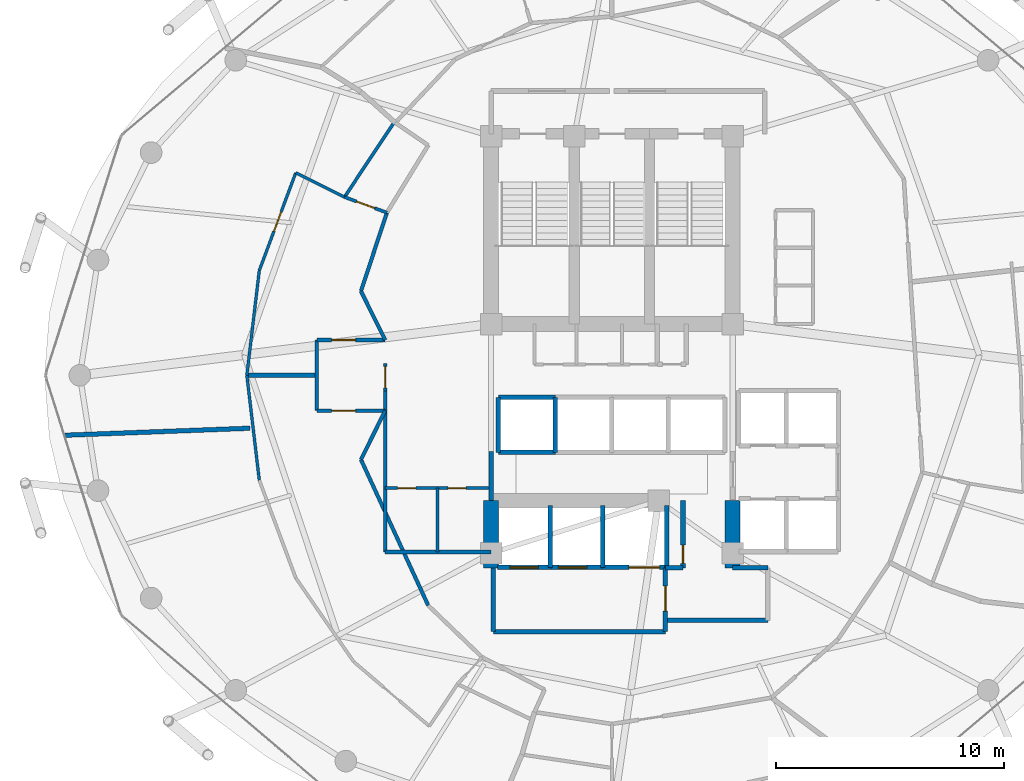
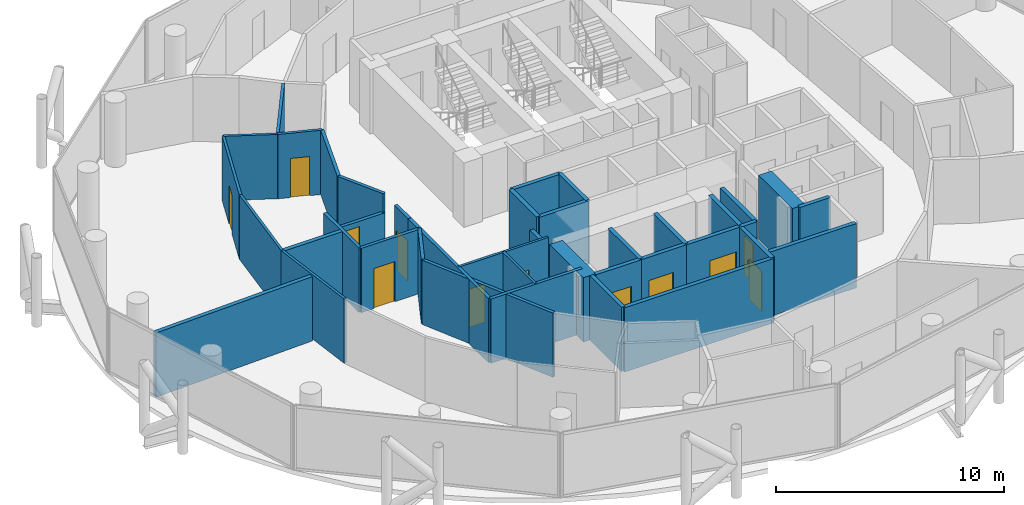
# One storey, part 22 of 26: 40 walls, 12 doors, 12 openings.
"""IFC4 building model written with IfcOpenShell, lengths in metres."""

from ifc_helpers import new_model, si_unit, direction, frame, frame_2d, origin, place, context, subcontext, project, spatial, rectangle, extrude, material, layer, layer_set, type_object, element, fill, save


model = new_model("IFC4")

# Units and contexts
model_context = context("Model", 3, precision=1e-05, world=origin(), true_north=direction((0.0, 1.0)))
body_context = subcontext(model_context, "Body", "Model", "MODEL_VIEW")
ifc_project = project(units=[si_unit("LENGTHUNIT", "METRE"), si_unit("AREAUNIT", "SQUARE_METRE"), si_unit("VOLUMEUNIT", "CUBIC_METRE"), si_unit("PLANEANGLEUNIT", "RADIAN"), si_unit("MASSUNIT", "GRAM", prefix="KILO")], contexts=[model_context])

# Site, building, storey
site_placement = place(None, origin())
site = spatial("IfcSite", under=ifc_project, at=site_placement, CompositionType="ELEMENT")
building_placement = place(site_placement, origin())
building = spatial("IfcBuilding", under=site, at=building_placement, Name="Nuhasar Tower", CompositionType="ELEMENT")
storey_placement = place(building_placement, frame((0.0, 0.0, 129.35009765625)))
storey = spatial("IfcBuildingStorey", under=building, at=storey_placement, Name="L30", CompositionType="ELEMENT", Elevation=129.35009765625)

# Walls
ifc_material_1 = material(Name="Concrete C65/80", Category="concrete")
ifc_layer_1 = layer(ifc_material_1, 0.64990234375)
ifc_layer_set_1 = layer_set([ifc_layer_1], Name="Concrete C65/80")
wall_type_1 = type_object("IfcWallType", Name="WL-CORE-650", PredefinedType="SHEAR", material=ifc_layer_set_1)
for number, where, z_axis, x_axis, name in (
    (1, (33.699951171875, 18.35009765625, 0.0), (0.0, 0.0, 1.0), (0.0, 1.0, 0.0), "L30 Core Shear Wall CW-SW CW-650"),
    (2, (44.300048828125, 18.35009765625, 0.0), (0.0, 0.0, 1.0), (0.0, 1.0, 0.0), "L30 Core Shear Wall CW-SE CW-650"),
):
    element("IfcWall", number, at=place(storey_placement, frame(where, z_axis=z_axis, x_axis=x_axis)), inside=storey, type_object=wall_type_1, Name=name, PredefinedType="SHEAR", context=body_context, shape_type="SweptSolid", body=[
        extrude(rectangle(XDim=2.949951171875, YDim=0.64990234375, at=frame_2d((1.47509765625, 0.0))), origin(), (0.0, 0.0, 1.0), 3.449951171875),
    ])
ifc_material_2 = material(Name="Gypsum Board", Category="gypsum")
ifc_layer_2 = layer(ifc_material_2, 0.159912109375)
ifc_layer_set_2 = layer_set([ifc_layer_2], Name="Gypsum Board")
wall_type_2 = type_object("IfcWallType", Name="WL-CORR-160", PredefinedType="PARTITIONING", material=ifc_layer_set_2)
wall_1_placement = place(storey_placement, frame((29.050048828125, 19.050048828125, 0.0), z_axis=(0.0, 0.0, 1.0), x_axis=(1.0, 0.0, 0.0)))
element("IfcWall", 3, at=wall_1_placement, inside=storey, type_object=wall_type_2, Name="L30 Interior Partition RECL-B1-S", PredefinedType="PARTITIONING", context=body_context, shape_type="SweptSolid", body=[
    extrude(rectangle(XDim=4.64990234375, YDim=0.159912109375, at=frame_2d((2.324951171875, 0.0))), origin(), (0.0, 0.0, 1.0), 3.449951171875),
])
wall_2_placement = place(storey_placement, frame((29.050048828125, 19.050048828125, 0.0), z_axis=(0.0, 0.0, 1.0), x_axis=(0.0, 1.0, 0.0)))
element("IfcWall", 4, at=wall_2_placement, inside=storey, type_object=wall_type_2, Name="L30 Interior Partition RECL-B1-W", PredefinedType="PARTITIONING", context=body_context, shape_type="SweptSolid", body=[
    extrude(rectangle(XDim=7.070068359375, YDim=0.159912109375, at=frame_2d((3.53515625, 0.0))), origin(), (0.0, 0.0, 1.0), 3.449951171875),
])

# Wall, opening, door
wall_3_placement = place(storey_placement, frame((29.050048828125, 26.1201171875, 0.0), z_axis=(0.0, 0.0, 1.0), x_axis=(0.0, 1.0, 0.0)))
wall_3 = element("IfcWall", 5, at=wall_3_placement, inside=storey, type_object=wall_type_2, Name="L30 Interior Partition WVEST-E", PredefinedType="PARTITIONING", context=body_context, shape_type="SweptSolid", body=[
    extrude(rectangle(XDim=1.199951171875, YDim=0.159912109375, at=frame_2d((0.60009765625, 0.0))), origin(), (0.0, 0.0, 1.0), 3.449951171875),
])
opening_1_placement = place(wall_3_placement, frame((0.125, 0.0, 0.0)))
opening_1 = element("IfcOpeningElement", 6, at=opening_1_placement, cuts=wall_3, Name="Opening DO-01", PredefinedType="OPENING", context=body_context, shape_type="SweptSolid", body=[
    extrude(rectangle(XDim=0.949951171875, YDim=2.14990234375, at=frame_2d((0.47509765625, 1.074951171875))), frame((0.0, 0.08984375, 0.0), z_axis=(0.0, -1.0, 0.0), x_axis=(1.0, 0.0, 0.0)), (0.0, 0.0, 1.0), 0.179931640625),
])
ifc_material_3 = material(Name="Timber Oak", Category="wood")
door_type_1 = type_object("IfcDoorType", Name="DR-OFFICE-FD30-950", OperationType="NOTDEFINED", PredefinedType="DOOR", material=ifc_material_3)
door_1_placement = place(opening_1_placement, origin())
door_1 = element("IfcDoor", 7, at=door_1_placement, inside=storey, type_object=door_type_1, Name="L30 West Arrival Foyer Core Door", OperationType="SINGLE_SWING_RIGHT", OverallHeight=2.14990234375, OverallWidth=0.949951171875, PredefinedType="DOOR", context=body_context, shape_type="SweptSolid", body=[
    extrude(rectangle(XDim=0.949951171875, YDim=2.14990234375, at=frame_2d((0.47509765625, 1.074951171875))), frame((0.0, 0.02490234375, 0.0), z_axis=(0.0, -1.0, 0.0), x_axis=(1.0, 0.0, 0.0)), (0.0, 0.0, 1.0), 0.050048828125),
])
fill(opening_1, door_1)

# Walls
wall_4_placement = place(storey_placement, frame((29.126953125, 33.93994140625, 0.0), z_axis=(0.0, 0.0, 1.0), x_axis=(-0.313985571683, -0.949427754374, 0.0)))
element("IfcWall", 8, at=wall_4_placement, inside=storey, type_object=wall_type_2, Name="L30 Interior Partition HWEST-CORE-N-20", PredefinedType="PARTITIONING", context=body_context, shape_type="SweptSolid", body=[
    extrude(rectangle(XDim=3.627197265625, YDim=0.159912109375, at=frame_2d((1.8134765625, 0.0))), origin(), (0.0, 0.0, 1.0), 3.449951171875),
])
wall_5_placement = place(storey_placement, frame((27.988037109375, 23.10400390625, 0.0), z_axis=(0.0, 0.0, 1.0), x_axis=(0.418656179426, -0.908144814128, 0.0)))
element("IfcWall", 9, at=wall_5_placement, inside=storey, type_object=wall_type_2, Name="L30 Interior Partition HWEST-CORE-S1-26", PredefinedType="PARTITIONING", context=body_context, shape_type="SweptSolid", body=[
    extrude(rectangle(XDim=7.048583984375, YDim=0.159912109375, at=frame_2d((3.5244140625, 0.0))), origin(), (0.0, 0.0, 1.0), 3.449951171875),
])

# Wall, opening, door
wall_6_placement = place(storey_placement, frame((26.050048828125, 28.35009765625, 0.0), z_axis=(0.0, 0.0, 1.0), x_axis=(1.0, 0.0, 0.0)))
wall_6 = element("IfcWall", 10, at=wall_6_placement, inside=storey, type_object=wall_type_2, Name="L30 Interior Partition WVEST-N", PredefinedType="PARTITIONING", context=body_context, shape_type="SweptSolid", body=[
    extrude(rectangle(XDim=3.0, YDim=0.159912109375, at=frame_2d((1.5, 0.0))), origin(), (0.0, 0.0, 1.0), 2.43994140625),
])
opening_2_placement = place(wall_6_placement, frame((0.64990234375, 0.0, 0.0)))
opening_2 = element("IfcOpeningElement", 11, at=opening_2_placement, cuts=wall_6, Name="Opening DU-01", PredefinedType="OPENING", context=body_context, shape_type="SweptSolid", body=[
    extrude(rectangle(XDim=1.050048828125, YDim=2.14990234375, at=frame_2d((0.52490234375, 1.074951171875))), frame((0.0, 0.08984375, 0.0), z_axis=(0.0, -1.0, 0.0), x_axis=(1.0, 0.0, 0.0)), (0.0, 0.0, 1.0), 0.179931640625),
])
door_type_2 = type_object("IfcDoorType", Name="DR-SUITE-FD60-1050", OperationType="NOTDEFINED", PredefinedType="DOOR", material=ifc_material_3)
door_2_placement = place(opening_2_placement, origin())
door_2 = element("IfcDoor", 12, at=door_2_placement, inside=storey, type_object=door_type_2, Name="L30 North-West Sunset Suite Entrance", OperationType="SINGLE_SWING_LEFT", OverallHeight=2.14990234375, OverallWidth=1.050048828125, PredefinedType="DOOR", context=body_context, shape_type="SweptSolid", body=[
    extrude(rectangle(XDim=1.050048828125, YDim=2.14990234375, at=frame_2d((0.52490234375, 1.074951171875))), frame((0.0, 0.02490234375, 0.0), z_axis=(0.0, -1.0, 0.0), x_axis=(1.0, 0.0, 0.0)), (0.0, 0.0, 1.0), 0.050048828125),
])
fill(opening_2, door_2)

wall_7_placement = place(storey_placement, frame((26.050048828125, 25.25, 0.0), z_axis=(0.0, 0.0, 1.0), x_axis=(1.0, 0.0, 0.0)))
wall_7 = element("IfcWall", 13, at=wall_7_placement, inside=storey, type_object=wall_type_2, Name="L30 Interior Partition WVEST-S", PredefinedType="PARTITIONING", context=body_context, shape_type="SweptSolid", body=[
    extrude(rectangle(XDim=3.0, YDim=0.159912109375, at=frame_2d((1.5, 0.0))), origin(), (0.0, 0.0, 1.0), 3.449951171875),
])
opening_3_placement = place(wall_7_placement, frame((0.64990234375, 0.0, 0.0)))
opening_3 = element("IfcOpeningElement", 14, at=opening_3_placement, cuts=wall_7, Name="Opening DU-01", PredefinedType="OPENING", context=body_context, shape_type="SweptSolid", body=[
    extrude(rectangle(XDim=1.050048828125, YDim=2.14990234375, at=frame_2d((0.52490234375, 1.074951171875))), frame((0.0, 0.08984375, 0.0), z_axis=(0.0, -1.0, 0.0), x_axis=(1.0, 0.0, 0.0)), (0.0, 0.0, 1.0), 0.179931640625),
])
door_3_placement = place(opening_3_placement, origin())
door_3 = element("IfcDoor", 15, at=door_3_placement, inside=storey, type_object=door_type_2, Name="L30 South-West Presidential Suite Entrance", OperationType="SINGLE_SWING_LEFT", OverallHeight=2.14990234375, OverallWidth=1.050048828125, PredefinedType="DOOR", context=body_context, shape_type="SweptSolid", body=[
    extrude(rectangle(XDim=1.050048828125, YDim=2.14990234375, at=frame_2d((0.52490234375, 1.074951171875))), frame((0.0, 0.02490234375, 0.0), z_axis=(0.0, -1.0, 0.0), x_axis=(1.0, 0.0, 0.0)), (0.0, 0.0, 1.0), 0.050048828125),
])
fill(opening_3, door_3)

# Walls
wall_8_placement = place(storey_placement, frame((26.050048828125, 25.25, 0.0), z_axis=(0.0, 0.0, 1.0), x_axis=(0.0, 1.0, 0.0)))
element("IfcWall", 16, at=wall_8_placement, inside=storey, type_object=wall_type_2, Name="L30 Interior Partition WVEST-W", PredefinedType="PARTITIONING", context=body_context, shape_type="SweptSolid", body=[
    extrude(rectangle(XDim=3.10009765625, YDim=0.159912109375, at=frame_2d((1.550048828125, 0.0))), origin(), (0.0, 0.0, 1.0), 3.449951171875),
])
for number, where, z_axis, x_axis, name in (
    (17, (27.988037109375, 30.49609375, 0.0), (0.0, 0.0, 1.0), (0.443539160525, -0.896254993337, 0.0), "L30 Interior Partition WVEST-CN"),
    (18, (27.988037109375, 23.10400390625, 0.0), (0.0, 0.0, 1.0), (0.443539160525, 0.896254993337, 0.0), "L30 Interior Partition WVEST-CS"),
):
    element("IfcWall", number, at=place(storey_placement, frame(where, z_axis=z_axis, x_axis=x_axis)), inside=storey, type_object=wall_type_2, Name=name, PredefinedType="PARTITIONING", context=body_context, shape_type="SweptSolid", body=[
        extrude(rectangle(XDim=2.394287109375, YDim=0.159912109375, at=frame_2d((1.197265625, 0.0))), origin(), (0.0, 0.0, 1.0), 3.449951171875),
    ])
ifc_material_4 = material(Name="Concrete C45/55", Category="concrete")
ifc_layer_3 = layer(ifc_material_4, 0.199951171875)
ifc_layer_set_3 = layer_set([ifc_layer_3], Name="Concrete C45/55")
wall_type_3 = type_object("IfcWallType", Name="WL-LOBBY-200", PredefinedType="SOLIDWALL", material=ifc_layer_set_3)
wall_9_placement = place(storey_placement, frame((33.699951171875, 21.300048828125, 0.0), z_axis=(0.0, 0.0, 1.0), x_axis=(0.0, 1.0, 0.0)))
element("IfcWall", 19, at=wall_9_placement, inside=storey, type_object=wall_type_3, Name="L30 Interior Partition LLBH-W", PredefinedType="SOLIDWALL", context=body_context, shape_type="SweptSolid", body=[
    extrude(rectangle(XDim=2.14990234375, YDim=0.199951171875, at=frame_2d((1.074951171875, 0.0))), origin(), (0.0, 0.0, 1.0), 2.8349609375),
])
wall_10_placement = place(storey_placement, frame((33.800048828125, 15.550048828125, 0.0), z_axis=(0.0, 0.0, 1.0), x_axis=(1.0, 0.0, 0.0)))
element("IfcWall", 20, at=wall_10_placement, inside=storey, type_object=wall_type_3, Name="L30 Interior Partition FFL-S", PredefinedType="SOLIDWALL", context=body_context, shape_type="SweptSolid", body=[
    extrude(rectangle(XDim=7.550048828125, YDim=0.199951171875, at=frame_2d((3.77490234375, 0.0))), origin(), (0.0, 0.0, 1.0), 3.449951171875),
])
wall_11_placement = place(storey_placement, frame((33.800048828125, 15.550048828125, 0.0), z_axis=(0.0, 0.0, 1.0), x_axis=(0.0, 1.0, 0.0)))
element("IfcWall", 21, at=wall_11_placement, inside=storey, type_object=wall_type_3, Name="L30 Interior Partition FFL-W", PredefinedType="SOLIDWALL", context=body_context, shape_type="SweptSolid", body=[
    extrude(rectangle(XDim=2.800048828125, YDim=0.199951171875, at=frame_2d((1.39990234375, 0.0))), origin(), (0.0, 0.0, 1.0), 3.449951171875),
])

# Wall, opening, door
wall_12_placement = place(storey_placement, frame((41.35009765625, 15.550048828125, 0.0), z_axis=(0.0, 0.0, 1.0), x_axis=(0.0, 1.0, 0.0)))
wall_12 = element("IfcWall", 22, at=wall_12_placement, inside=storey, type_object=wall_type_3, Name="L30 Interior Partition FFL-E", PredefinedType="SOLIDWALL", context=body_context, shape_type="SweptSolid", body=[
    extrude(rectangle(XDim=2.800048828125, YDim=0.199951171875, at=frame_2d((1.39990234375, 0.0))), origin(), (0.0, 0.0, 1.0), 3.449951171875),
])
opening_4_placement = place(wall_12_placement, frame((0.89990234375, 0.0, 0.0)))
opening_4 = element("IfcOpeningElement", 23, at=opening_4_placement, cuts=wall_12, Name="Opening DS-02", PredefinedType="OPENING", context=body_context, shape_type="SweptSolid", body=[
    extrude(rectangle(XDim=1.10009765625, YDim=2.14990234375, at=frame_2d((0.550048828125, 1.074951171875))), frame((0.0, 0.10986328125, 0.0), z_axis=(0.0, -1.0, 0.0), x_axis=(1.0, 0.0, 0.0)), (0.0, 0.0, 1.0), 0.219970703125),
])
ifc_material_5 = material(Name="Steel S355", Category="steel")
door_type_3 = type_object("IfcDoorType", Name="DR-FFL-FD120-1100", OperationType="NOTDEFINED", PredefinedType="DOOR", material=ifc_material_5)
door_4_placement = place(opening_4_placement, origin())
door_4 = element("IfcDoor", 24, at=door_4_placement, inside=storey, type_object=door_type_3, Name="L30 Firefighting Lobby Door", OperationType="SINGLE_SWING_RIGHT", OverallHeight=2.14990234375, OverallWidth=1.10009765625, PredefinedType="DOOR", context=body_context, shape_type="SweptSolid", body=[
    extrude(rectangle(XDim=1.10009765625, YDim=2.14990234375, at=frame_2d((0.550048828125, 1.074951171875))), frame((0.0, 0.02490234375, 0.0), z_axis=(0.0, -1.0, 0.0), x_axis=(1.0, 0.0, 0.0)), (0.0, 0.0, 1.0), 0.050048828125),
])
fill(opening_4, door_4)

# Walls
wall_13_placement = place(storey_placement, frame((41.35009765625, 16.050048828125, 0.0), z_axis=(0.0, 0.0, 1.0), x_axis=(1.0, 0.0, 0.0)))
element("IfcWall", 25, at=wall_13_placement, inside=storey, type_object=wall_type_3, Name="L30 Interior Partition SVLV-S", PredefinedType="SOLIDWALL", context=body_context, shape_type="SweptSolid", body=[
    extrude(rectangle(XDim=4.5, YDim=0.199951171875, at=frame_2d((2.25, 0.0))), origin(), (0.0, 0.0, 1.0), 3.449951171875),
])
wall_14_placement = place(storey_placement, frame((44.300048828125, 18.35009765625, 0.0), z_axis=(0.0, 0.0, 1.0), x_axis=(1.0, 0.0, 0.0)))
element("IfcWall", 26, at=wall_14_placement, inside=storey, type_object=wall_type_3, Name="L30 Interior Partition SVLV-N", PredefinedType="SOLIDWALL", context=body_context, shape_type="SweptSolid", body=[
    extrude(rectangle(XDim=1.550048828125, YDim=0.199951171875, at=frame_2d((0.77490234375, 0.0))), origin(), (0.0, 0.0, 1.0), 3.449951171875),
])

# Wall, openings, doors
ifc_layer_4 = layer(ifc_material_2, 0.125)
ifc_layer_set_4 = layer_set([ifc_layer_4], Name="Gypsum Board")
wall_type_4 = type_object("IfcWallType", Name="WL-PART-125", PredefinedType="PARTITIONING", material=ifc_layer_set_4)
wall_15_placement = place(storey_placement, frame((33.60009765625, 21.85009765625, 0.0), z_axis=(0.0, 0.0, 1.0), x_axis=(-1.0, 0.0, 0.0)))
wall_15 = element("IfcWall", 27, at=wall_15_placement, inside=storey, type_object=wall_type_4, Name="L30 Interior Partition HKPK1-N", PredefinedType="PARTITIONING", context=body_context, shape_type="SweptSolid", body=[
    extrude(rectangle(XDim=4.550048828125, YDim=0.125, at=frame_2d((2.27490234375, 0.0))), origin(), (0.0, 0.0, 1.0), 3.449951171875),
])
opening_5_placement = place(wall_15_placement, frame((3.199951171875, 0.0, 0.0)))
opening_5 = element("IfcOpeningElement", 28, at=opening_5_placement, cuts=wall_15, Name="Opening DM-01", PredefinedType="OPENING", context=body_context, shape_type="SweptSolid", body=[
    extrude(rectangle(XDim=0.800048828125, YDim=2.050048828125, at=frame_2d((0.39990234375, 1.02490234375))), frame((0.0, 0.072509765625, 0.0), z_axis=(0.0, -1.0, 0.0), x_axis=(1.0, 0.0, 0.0)), (0.0, 0.0, 1.0), 0.14501953125),
])
opening_6_placement = place(wall_15_placement, frame((1.0, 0.0, 0.0)))
opening_6 = element("IfcOpeningElement", 29, at=opening_6_placement, cuts=wall_15, Name="Opening DM-01", PredefinedType="OPENING", context=body_context, shape_type="SweptSolid", body=[
    extrude(rectangle(XDim=0.800048828125, YDim=2.050048828125, at=frame_2d((0.39990234375, 1.02490234375))), frame((0.0, 0.072509765625, 0.0), z_axis=(0.0, -1.0, 0.0), x_axis=(1.0, 0.0, 0.0)), (0.0, 0.0, 1.0), 0.14501953125),
])
door_type_4 = type_object("IfcDoorType", Name="DR-RISER-FD60-800", OperationType="NOTDEFINED", PredefinedType="DOOR", material=ifc_material_5)
door_5_placement = place(opening_5_placement, origin())
door_5 = element("IfcDoor", 30, at=door_5_placement, inside=storey, type_object=door_type_4, Name="L30 Housekeeping Closet Door", OperationType="SINGLE_SWING_RIGHT", OverallHeight=2.050048828125, OverallWidth=0.800048828125, PredefinedType="DOOR", context=body_context, shape_type="SweptSolid", body=[
    extrude(rectangle(XDim=0.800048828125, YDim=2.050048828125, at=frame_2d((0.39990234375, 1.02490234375))), frame((0.0, 0.02490234375, 0.0), z_axis=(0.0, -1.0, 0.0), x_axis=(1.0, 0.0, 0.0)), (0.0, 0.0, 1.0), 0.050048828125),
])
fill(opening_5, door_5)
door_6_placement = place(opening_6_placement, origin())
door_6 = element("IfcDoor", 31, at=door_6_placement, inside=storey, type_object=door_type_4, Name="L30 Linen Store Door", OperationType="SINGLE_SWING_LEFT", OverallHeight=2.050048828125, OverallWidth=0.800048828125, PredefinedType="DOOR", context=body_context, shape_type="SweptSolid", body=[
    extrude(rectangle(XDim=0.800048828125, YDim=2.050048828125, at=frame_2d((0.39990234375, 1.02490234375))), frame((0.0, 0.02490234375, 0.0), z_axis=(0.0, -1.0, 0.0), x_axis=(1.0, 0.0, 0.0)), (0.0, 0.0, 1.0), 0.050048828125),
])
fill(opening_6, door_6)

# Walls
wall_16_placement = place(storey_placement, frame((31.35009765625, 19.050048828125, 0.0), z_axis=(0.0, 0.0, 1.0), x_axis=(0.0, 1.0, 0.0)))
element("IfcWall", 32, at=wall_16_placement, inside=storey, type_object=wall_type_4, Name="L30 Interior Partition HKPK1-V", PredefinedType="PARTITIONING", context=body_context, shape_type="SweptSolid", body=[
    extrude(rectangle(XDim=2.800048828125, YDim=0.125, at=frame_2d((1.39990234375, 0.0))), origin(), (0.0, 0.0, 1.0), 3.449951171875),
])
wall_17_placement = place(storey_placement, frame((27.264892578125, 34.625, 0.0), z_axis=(0.0, 0.0, 1.0), x_axis=(-0.895182030291, 0.445700720937, 0.0)))
element("IfcWall", 33, at=wall_17_placement, inside=storey, type_object=wall_type_4, Name="L30 Interior Partition HWS1-S", PredefinedType="PARTITIONING", context=body_context, shape_type="SweptSolid", body=[
    extrude(rectangle(XDim=2.389404296875, YDim=0.125, at=frame_2d((1.19482421875, 0.0))), origin(), (0.0, 0.0, 1.0), 3.449951171875),
])

# Wall, opening, door
wall_18_placement = place(storey_placement, frame((25.1259765625, 35.68994140625, 0.0), z_axis=(0.0, 0.0, 1.0), x_axis=(-0.349620571525, -0.936891378958, 0.0)))
wall_18 = element("IfcWall", 34, at=wall_18_placement, inside=storey, type_object=wall_type_4, Name="L30 Interior Partition HWS1-ARC-20", PredefinedType="PARTITIONING", context=body_context, shape_type="SweptSolid", body=[
    extrude(rectangle(XDim=4.57666015625, YDim=0.125, at=frame_2d((2.288330078125, 0.0))), origin(), (0.0, 0.0, 1.0), 3.449951171875),
])
opening_7_placement = place(wall_18_placement, frame((1.837890625, 0.0, 0.0)))
opening_7 = element("IfcOpeningElement", 35, at=opening_7_placement, cuts=wall_18, Name="Opening DR-01", PredefinedType="OPENING", context=body_context, shape_type="SweptSolid", body=[
    extrude(rectangle(XDim=0.89990234375, YDim=2.10009765625, at=frame_2d((0.449951171875, 1.050048828125))), frame((0.0, 0.072509765625, 0.0), z_axis=(0.0, -1.0, 0.0), x_axis=(1.0, 0.0, 0.0)), (0.0, 0.0, 1.0), 0.14501953125),
])
door_type_5 = type_object("IfcDoorType", Name="DR-ROOM-900", OperationType="NOTDEFINED", PredefinedType="DOOR", material=ifc_material_3)
door_7_placement = place(opening_7_placement, origin())
door_7 = element("IfcDoor", 36, at=door_7_placement, inside=storey, type_object=door_type_5, Name="L30 North-West Sunset Suite Bedroom Door", OperationType="SINGLE_SWING_LEFT", OverallHeight=2.10009765625, OverallWidth=0.89990234375, PredefinedType="DOOR", context=body_context, shape_type="SweptSolid", body=[
    extrude(rectangle(XDim=0.89990234375, YDim=2.10009765625, at=frame_2d((0.449951171875, 1.050048828125))), frame((0.0, 0.02490234375, 0.0), z_axis=(0.0, -1.0, 0.0), x_axis=(1.0, 0.0, 0.0)), (0.0, 0.0, 1.0), 0.050048828125),
])
fill(opening_7, door_7)

# Walls
for number, where, z_axis, x_axis, name in (
    (37, (23.52587890625, 31.402099609375, 0.0), (0.0, 0.0, 1.0), (-0.117794846718, -0.993037951987, 0.0), "L30 Interior Partition HWS1-ARC-22"),
    (38, (22.97998046875, 26.800048828125, 0.0), (0.0, 0.0, 1.0), (0.117794846718, -0.993037951987, 0.0), "L30 Interior Partition HWS2-ARC-24"),
):
    element("IfcWall", number, at=place(storey_placement, frame(where, z_axis=z_axis, x_axis=x_axis)), inside=storey, type_object=wall_type_4, Name=name, PredefinedType="PARTITIONING", context=body_context, shape_type="SweptSolid", body=[
        extrude(rectangle(XDim=4.63427734375, YDim=0.125, at=frame_2d((2.317138671875, 0.0))), origin(), (0.0, 0.0, 1.0), 3.449951171875),
    ])
ifc_layer_5 = layer(ifc_material_4, 0.199951171875)
ifc_layer_set_5 = layer_set([ifc_layer_5], Name="Concrete C45/55")
wall_type_5 = type_object("IfcWallType", Name="WL-SHAFT-200", PredefinedType="SOLIDWALL", material=ifc_layer_set_5)
for number, where, z_axis, x_axis, name in (
    (39, (34.02001953125, 23.419921875, 0.0), (0.0, 0.0, 1.0), (1.0, 0.0, 0.0), "L30 Interior Partition SHF-PL-H01-S"),
    (40, (34.02001953125, 25.830078125, 0.0), (0.0, 0.0, 1.0), (1.0, 0.0, 0.0), "L30 Interior Partition SHF-PL-H01-N"),
):
    element("IfcWall", number, at=place(storey_placement, frame(where, z_axis=z_axis, x_axis=x_axis)), inside=storey, type_object=wall_type_5, Name=name, PredefinedType="SOLIDWALL", context=body_context, shape_type="SweptSolid", body=[
        extrude(rectangle(XDim=2.5, YDim=0.199951171875, at=frame_2d((1.25, 0.0))), origin(), (0.0, 0.0, 1.0), 3.449951171875),
    ])
for number, where, z_axis, x_axis, name in (
    (41, (34.02001953125, 23.419921875, 0.0), (0.0, 0.0, 1.0), (0.0, 1.0, 0.0), "L30 Interior Partition SHF-PL-H01-W"),
    (42, (36.510009765625, 23.419921875, 0.0), (0.0, 0.0, 1.0), (0.0, 1.0, 0.0), "L30 Interior Partition SHF-PL-H01-E"),
):
    element("IfcWall", number, at=place(storey_placement, frame(where, z_axis=z_axis, x_axis=x_axis)), inside=storey, type_object=wall_type_5, Name=name, PredefinedType="SOLIDWALL", context=body_context, shape_type="SweptSolid", body=[
        extrude(rectangle(XDim=2.41015625, YDim=0.199951171875, at=frame_2d((1.205078125, 0.0))), origin(), (0.0, 0.0, 1.0), 3.449951171875),
    ])

# Wall, opening, door
wall_19_placement = place(storey_placement, frame((33.969970703125, 18.3701171875, 0.0), z_axis=(0.0, 0.0, 1.0), x_axis=(1.0, 0.0, 0.0)))
wall_19 = element("IfcWall", 43, at=wall_19_placement, inside=storey, type_object=wall_type_5, Name="L30 Interior Partition SHF-FFL-01-S", PredefinedType="SOLIDWALL", context=body_context, shape_type="SweptSolid", body=[
    extrude(rectangle(XDim=2.360107421875, YDim=0.199951171875, at=frame_2d((1.18017578125, 0.0))), origin(), (0.0, 0.0, 1.0), 3.449951171875),
])
opening_8_placement = place(wall_19_placement, frame((0.554931640625, 0.0, 0.0)))
opening_8 = element("IfcOpeningElement", 44, at=opening_8_placement, cuts=wall_19, Name="Opening LD-F01", PredefinedType="OPENING", context=body_context, shape_type="SweptSolid", body=[
    extrude(rectangle(XDim=1.25, YDim=2.199951171875, at=frame_2d((0.625, 1.10009765625))), frame((0.0, 0.10986328125, 0.0), z_axis=(0.0, -1.0, 0.0), x_axis=(1.0, 0.0, 0.0)), (0.0, 0.0, 1.0), 0.219970703125),
])
ifc_material_6 = material(Name="Stainless Steel 316L", Category="steel")
door_type_6 = type_object("IfcDoorType", Name="LD-FFL-1250", OperationType="DOUBLE_DOOR_SLIDING", PredefinedType="DOOR", material=ifc_material_6)
door_8_placement = place(opening_8_placement, origin())
door_8 = element("IfcDoor", 45, at=door_8_placement, inside=storey, type_object=door_type_6, Name="L30 Lift Landing Door FFL-01", OperationType="DOUBLE_DOOR_SLIDING", OverallHeight=2.199951171875, OverallWidth=1.25, PredefinedType="DOOR", context=body_context, shape_type="SweptSolid", body=[
    extrude(rectangle(XDim=1.25, YDim=2.199951171875, at=frame_2d((0.625, 1.10009765625))), frame((0.0, 0.02490234375, 0.0), z_axis=(0.0, -1.0, 0.0), x_axis=(1.0, 0.0, 0.0)), (0.0, 0.0, 1.0), 0.050048828125),
])
fill(opening_8, door_8)

# Wall
wall_20_placement = place(storey_placement, frame((36.300048828125, 18.3701171875, 0.0), z_axis=(0.0, 0.0, 1.0), x_axis=(0.0, 1.0, 0.0)))
element("IfcWall", 46, at=wall_20_placement, inside=storey, type_object=wall_type_5, Name="L30 Interior Partition SHF-FFL-01-E", PredefinedType="SOLIDWALL", context=body_context, shape_type="SweptSolid", body=[
    extrude(rectangle(XDim=2.7099609375, YDim=0.199951171875, at=frame_2d((1.35498046875, 0.0))), origin(), (0.0, 0.0, 1.0), 3.449951171875),
])

# Wall, opening, door
wall_21_placement = place(storey_placement, frame((36.27001953125, 18.3701171875, 0.0), z_axis=(0.0, 0.0, 1.0), x_axis=(1.0, 0.0, 0.0)))
wall_21 = element("IfcWall", 47, at=wall_21_placement, inside=storey, type_object=wall_type_5, Name="L30 Interior Partition SHF-FFL-02-S", PredefinedType="SOLIDWALL", context=body_context, shape_type="SweptSolid", body=[
    extrude(rectangle(XDim=2.35986328125, YDim=0.199951171875, at=frame_2d((1.179931640625, 0.0))), origin(), (0.0, 0.0, 1.0), 3.449951171875),
])
opening_9_placement = place(wall_21_placement, frame((0.3798828125, 0.0, 0.0)))
opening_9 = element("IfcOpeningElement", 48, at=opening_9_placement, cuts=wall_21, Name="Opening LD-F02", PredefinedType="OPENING", context=body_context, shape_type="SweptSolid", body=[
    extrude(rectangle(XDim=1.25, YDim=2.199951171875, at=frame_2d((0.625, 1.10009765625))), frame((0.0, 0.10986328125, 0.0), z_axis=(0.0, -1.0, 0.0), x_axis=(1.0, 0.0, 0.0)), (0.0, 0.0, 1.0), 0.219970703125),
])
door_9_placement = place(opening_9_placement, origin())
door_9 = element("IfcDoor", 49, at=door_9_placement, inside=storey, type_object=door_type_6, Name="L30 Lift Landing Door FFL-02", OperationType="DOUBLE_DOOR_SLIDING", OverallHeight=2.199951171875, OverallWidth=1.25, PredefinedType="DOOR", context=body_context, shape_type="SweptSolid", body=[
    extrude(rectangle(XDim=1.25, YDim=2.199951171875, at=frame_2d((0.625, 1.10009765625))), frame((0.0, 0.02490234375, 0.0), z_axis=(0.0, -1.0, 0.0), x_axis=(1.0, 0.0, 0.0)), (0.0, 0.0, 1.0), 0.050048828125),
])
fill(opening_9, door_9)

# Wall
wall_22_placement = place(storey_placement, frame((38.60009765625, 18.3701171875, 0.0), z_axis=(0.0, 0.0, 1.0), x_axis=(0.0, 1.0, 0.0)))
element("IfcWall", 50, at=wall_22_placement, inside=storey, type_object=wall_type_5, Name="L30 Interior Partition SHF-FFL-02-E", PredefinedType="SOLIDWALL", context=body_context, shape_type="SweptSolid", body=[
    extrude(rectangle(XDim=2.7099609375, YDim=0.199951171875, at=frame_2d((1.35498046875, 0.0))), origin(), (0.0, 0.0, 1.0), 3.449951171875),
])

# Wall, opening, door
wall_23_placement = place(storey_placement, frame((38.570068359375, 18.3701171875, 0.0), z_axis=(0.0, 0.0, 1.0), x_axis=(1.0, 0.0, 0.0)))
wall_23 = element("IfcWall", 51, at=wall_23_placement, inside=storey, type_object=wall_type_5, Name="L30 Interior Partition SHF-SVL-01-S", PredefinedType="SOLIDWALL", context=body_context, shape_type="SweptSolid", body=[
    extrude(rectangle(XDim=2.829833984375, YDim=0.199951171875, at=frame_2d((1.4150390625, 0.0))), origin(), (0.0, 0.0, 1.0), 3.449951171875),
])
opening_10_placement = place(wall_23_placement, frame((1.179931640625, 0.0, 0.0)))
opening_10 = element("IfcOpeningElement", 52, at=opening_10_placement, cuts=wall_23, Name="Opening LD-S01", PredefinedType="OPENING", context=body_context, shape_type="SweptSolid", body=[
    extrude(rectangle(XDim=1.35009765625, YDim=2.179931640625, at=frame_2d((0.675048828125, 1.08984375))), frame((0.0, 0.10986328125, 0.0), z_axis=(0.0, -1.0, 0.0), x_axis=(1.0, 0.0, 0.0)), (0.0, 0.0, 1.0), 0.219970703125),
])
door_type_7 = type_object("IfcDoorType", Name="LD-SVL-1350", OperationType="DOUBLE_DOOR_SLIDING", PredefinedType="DOOR", material=ifc_material_6)
door_10_placement = place(opening_10_placement, origin())
door_10 = element("IfcDoor", 53, at=door_10_placement, inside=storey, type_object=door_type_7, Name="L30 Lift Landing Door SVL-01", OperationType="DOUBLE_DOOR_SLIDING", OverallHeight=2.179931640625, OverallWidth=1.35009765625, PredefinedType="DOOR", context=body_context, shape_type="SweptSolid", body=[
    extrude(rectangle(XDim=1.35009765625, YDim=2.179931640625, at=frame_2d((0.675048828125, 1.08984375))), frame((0.0, 0.02490234375, 0.0), z_axis=(0.0, -1.0, 0.0), x_axis=(1.0, 0.0, 0.0)), (0.0, 0.0, 1.0), 0.050048828125),
])
fill(opening_10, door_10)

# Wall
wall_24_placement = place(storey_placement, frame((41.39990234375, 18.3701171875, 0.0), z_axis=(0.0, 0.0, 1.0), x_axis=(0.0, 1.0, 0.0)))
element("IfcWall", 54, at=wall_24_placement, inside=storey, type_object=wall_type_5, Name="L30 Interior Partition SHF-SVL-01-E", PredefinedType="SOLIDWALL", context=body_context, shape_type="SweptSolid", body=[
    extrude(rectangle(XDim=2.7099609375, YDim=0.199951171875, at=frame_2d((1.35498046875, 0.0))), origin(), (0.0, 0.0, 1.0), 3.449951171875),
])

# Wall, opening, door
wall_25_placement = place(storey_placement, frame((42.1201171875, 18.35009765625, 0.0), z_axis=(0.0, 0.0, 1.0), x_axis=(0.0, 1.0, 0.0)))
wall_25 = element("IfcWall", 55, at=wall_25_placement, inside=storey, type_object=wall_type_5, Name="L30 Interior Partition RSR-E", PredefinedType="SOLIDWALL", context=body_context, shape_type="SweptSolid", body=[
    extrude(rectangle(XDim=2.949951171875, YDim=0.199951171875, at=frame_2d((1.47509765625, 0.0))), origin(), (0.0, 0.0, 1.0), 3.449951171875),
])
opening_11_placement = place(wall_25_placement, frame((0.199951171875, 0.0, 0.0)))
opening_11 = element("IfcOpeningElement", 56, at=opening_11_placement, cuts=wall_25, Name="Opening DM-01", PredefinedType="OPENING", context=body_context, shape_type="SweptSolid", body=[
    extrude(rectangle(XDim=0.800048828125, YDim=2.050048828125, at=frame_2d((0.39990234375, 1.02490234375))), frame((0.0, 0.10986328125, 0.0), z_axis=(0.0, -1.0, 0.0), x_axis=(1.0, 0.0, 0.0)), (0.0, 0.0, 1.0), 0.219970703125),
])
door_11_placement = place(opening_11_placement, origin())
door_11 = element("IfcDoor", 57, at=door_11_placement, inside=storey, type_object=door_type_4, Name="L30 MEP Riser Access Door", OperationType="SINGLE_SWING_LEFT", OverallHeight=2.050048828125, OverallWidth=0.800048828125, PredefinedType="DOOR", context=body_context, shape_type="SweptSolid", body=[
    extrude(rectangle(XDim=0.800048828125, YDim=2.050048828125, at=frame_2d((0.39990234375, 1.02490234375))), frame((0.0, 0.02490234375, 0.0), z_axis=(0.0, -1.0, 0.0), x_axis=(1.0, 0.0, 0.0)), (0.0, 0.0, 1.0), 0.050048828125),
])
fill(opening_11, door_11)

# Walls
wall_26_placement = place(storey_placement, frame((41.35009765625, 18.35009765625, 0.0), z_axis=(0.0, 0.0, 1.0), x_axis=(1.0, 0.0, 0.0)))
element("IfcWall", 58, at=wall_26_placement, inside=storey, type_object=wall_type_5, Name="L30 Interior Partition RSR-S", PredefinedType="SOLIDWALL", context=body_context, shape_type="SweptSolid", body=[
    extrude(rectangle(XDim=0.77001953125, YDim=0.199951171875, at=frame_2d((0.385009765625, 0.0))), origin(), (0.0, 0.0, 1.0), 3.449951171875),
])
ifc_material_7 = material(Name="Concrete C40/50 precast", Category="concrete")
ifc_layer_6 = layer(ifc_material_7, 0.199951171875)
ifc_layer_set_6 = layer_set([ifc_layer_6], Name="Concrete C40/50 precast")
wall_type_6 = type_object("IfcWallType", Name="WL-UNIT-200", PredefinedType="PARTITIONING", material=ifc_layer_set_6)
wall_27_placement = place(storey_placement, frame((26.050048828125, 26.800048828125, 0.0), z_axis=(0.0, 0.0, 1.0), x_axis=(-1.0, 0.0, 0.0)))
element("IfcWall", 59, at=wall_27_placement, inside=storey, type_object=wall_type_6, Name="L30 Interior Partition HWEST-DIV-IN", PredefinedType="PARTITIONING", context=body_context, shape_type="SweptSolid", body=[
    extrude(rectangle(XDim=3.070068359375, YDim=0.199951171875, at=frame_2d((1.53515625, 0.0))), origin(), (0.0, 0.0, 1.0), 3.449951171875),
])
wall_28_placement = place(storey_placement, frame((23.116943359375, 24.47900390625, 0.0), z_axis=(0.0, 0.0, 1.0), x_axis=(-0.999284800022, -0.037813865784, 0.0)))
element("IfcWall", 60, at=wall_28_placement, inside=storey, type_object=wall_type_6, Name="L30 Interior Partition HWEST-DIV-OUT", PredefinedType="PARTITIONING", context=body_context, shape_type="SweptSolid", body=[
    extrude(rectangle(XDim=8.11572265625, YDim=0.199951171875, at=frame_2d((4.057861328125, 0.0))), origin(), (0.0, 0.0, 1.0), 3.449951171875),
])

# Wall, opening, door
ifc_layer_7 = layer(ifc_material_7, 0.139892578125)
ifc_layer_set_7 = layer_set([ifc_layer_7], Name="Concrete C40/50 precast")
wall_type_7 = type_object("IfcWallType", Name="WL-WET-140", PredefinedType="PARTITIONING", material=ifc_layer_set_7)
wall_29_placement = place(storey_placement, frame((27.264892578125, 34.625, 0.0), z_axis=(0.0, 0.0, 1.0), x_axis=(0.938500583084, -0.345277649945, 0.0)))
wall_29 = element("IfcWall", 61, at=wall_29_placement, inside=storey, type_object=wall_type_7, Name="L30 Interior Partition HBW1-S", PredefinedType="PARTITIONING", context=body_context, shape_type="SweptSolid", body=[
    extrude(rectangle(XDim=1.984130859375, YDim=0.139892578125, at=frame_2d((0.9921875, 0.0))), origin(), (0.0, 0.0, 1.0), 3.449951171875),
])
opening_12_placement = place(wall_29_placement, frame((0.56689453125, 0.0, 0.0)))
opening_12 = element("IfcOpeningElement", 62, at=opening_12_placement, cuts=wall_29, Name="Opening DB-01", PredefinedType="OPENING", context=body_context, shape_type="SweptSolid", body=[
    extrude(rectangle(XDim=0.85009765625, YDim=2.10009765625, at=frame_2d((0.425048828125, 1.050048828125))), frame((0.0, 0.080078125, 0.0), z_axis=(0.0, -1.0, 0.0), x_axis=(1.0, 0.0, 0.0)), (0.0, 0.0, 1.0), 0.159912109375),
])
door_type_8 = type_object("IfcDoorType", Name="DR-BATH-850", OperationType="NOTDEFINED", PredefinedType="DOOR", material=ifc_material_3)
door_12_placement = place(opening_12_placement, origin())
door_12 = element("IfcDoor", 63, at=door_12_placement, inside=storey, type_object=door_type_8, Name="L30 North-West Sunset Suite En-Suite Door", OperationType="SINGLE_SWING_RIGHT", OverallHeight=2.10009765625, OverallWidth=0.85009765625, PredefinedType="DOOR", context=body_context, shape_type="SweptSolid", body=[
    extrude(rectangle(XDim=0.85009765625, YDim=2.10009765625, at=frame_2d((0.425048828125, 1.050048828125))), frame((0.0, 0.02490234375, 0.0), z_axis=(0.0, -1.0, 0.0), x_axis=(1.0, 0.0, 0.0)), (0.0, 0.0, 1.0), 0.050048828125),
])
fill(opening_12, door_12)

# Wall
wall_30_placement = place(storey_placement, frame((29.4189453125, 37.865966796875, 0.0), z_axis=(0.0, 0.0, 1.0), x_axis=(-0.553526949376, -0.832831265212, 0.0)))
element("IfcWall", 64, at=wall_30_placement, inside=storey, type_object=wall_type_7, Name="L30 Interior Partition HBW1-E", PredefinedType="PARTITIONING", context=body_context, shape_type="SweptSolid", body=[
    extrude(rectangle(XDim=3.8916015625, YDim=0.139892578125, at=frame_2d((1.94580078125, 0.0))), origin(), (0.0, 0.0, 1.0), 3.449951171875),
])

save(model, "model.ifc")
